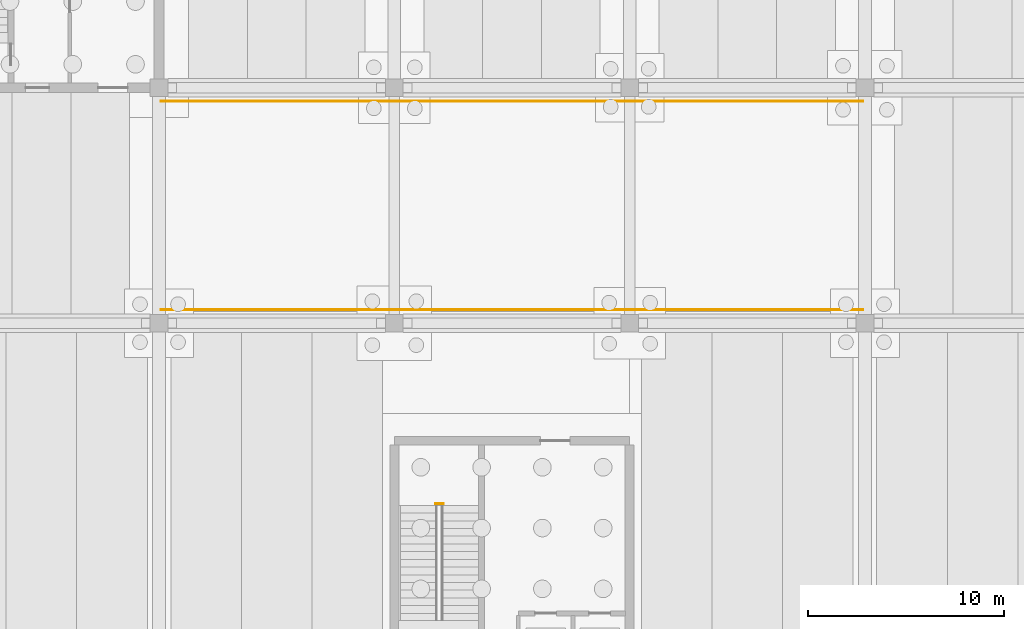
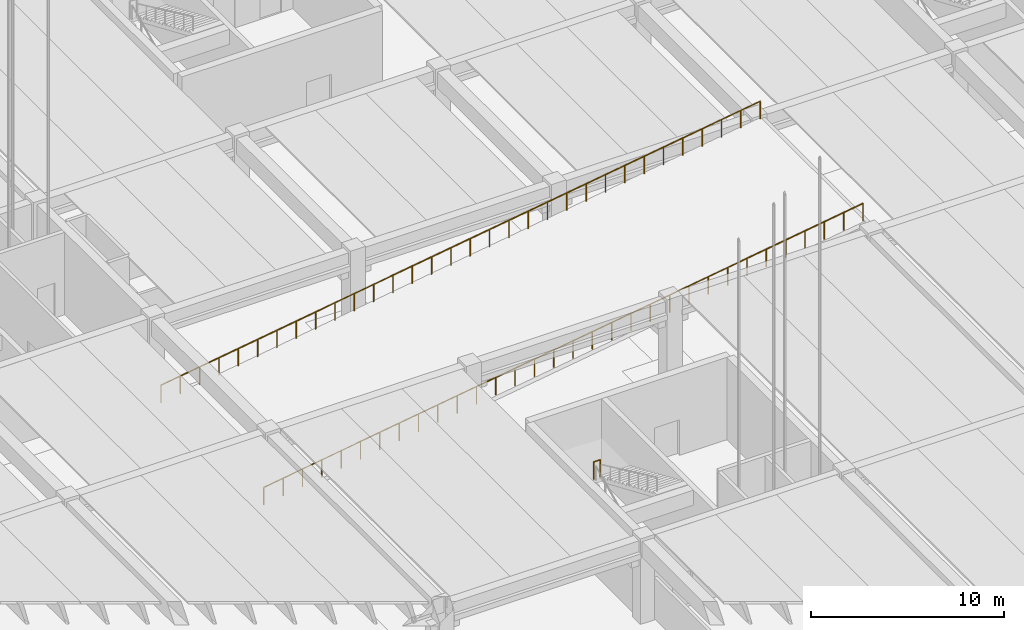
# One storey, part 54 of 59: 3 railings.
"""IFC4 building model written with IfcOpenShell, lengths in metres."""

from ifc_helpers import new_model, si_unit, direction, frame, origin, origin_2d, place, context, subcontext, project, spatial, circle, extrude, material, layer, layer_set, type_object, element, save


model = new_model("IFC4")

# Units and contexts
model_context = context("Model", 3, precision=1e-05, world=origin(), true_north=direction((0.0, 1.0)))
body_context = subcontext(model_context, "Body", "Model", "MODEL_VIEW")
ifc_project = project(units=[si_unit("LENGTHUNIT", "METRE"), si_unit("AREAUNIT", "SQUARE_METRE"), si_unit("VOLUMEUNIT", "CUBIC_METRE"), si_unit("PLANEANGLEUNIT", "RADIAN"), si_unit("MASSUNIT", "GRAM", prefix="KILO")], contexts=[model_context])

# Site, building, storey
site_placement = place(None, origin())
site = spatial("IfcSite", under=ifc_project, at=site_placement, CompositionType="ELEMENT")
building_placement = place(site_placement, origin())
building = spatial("IfcBuilding", under=site, at=building_placement, Name="Girod Span Mobility Hub", CompositionType="ELEMENT")
storey_placement = place(building_placement, origin())
storey = spatial("IfcBuildingStorey", under=building, at=storey_placement, Name="L00", CompositionType="ELEMENT", Elevation=0.0)

# Railings
ifc_material = material(Name="Painted Galvanised Steel", Category="steel")
ifc_layer = layer(ifc_material, 0.06494140625)
ifc_layer_set = layer_set([ifc_layer], Name="Painted Galvanised Steel")
railing_type = type_object("IfcRailingType", Name="RL-GRD-1120", PredefinedType="GUARDRAIL", material=ifc_layer_set)
railing_1_placement = place(storey_placement, frame((60.10009765625, 45.679931640625, 0.0)))
element("IfcRailing", 1, at=railing_1_placement, inside=storey, type_object=railing_type, Name="Vehicular Ramp Guardrail L00-S", PredefinedType="GUARDRAIL", context=body_context, shape_type="SweptSolid", body=[
    extrude(circle(Radius=0.02392578125, at=origin_2d()), frame((0.0, 0.0, 1.09619140625), z_axis=(0.988814741351, 0.0, 0.149148943296), x_axis=(0.0, 1.0, 0.0)), (0.0, 0.0, 1.0), 36.204833984375),
    extrude(circle(Radius=0.02099609375, at=origin_2d()), origin(), (0.0, 0.0, 1.0), 1.072021484375),
    extrude(circle(Radius=0.02099609375, at=origin_2d()), frame((1.15478515625, 0.0, 0.174072265625)), (0.0, 0.0, 1.0), 1.072021484375),
    extrude(circle(Radius=0.02099609375, at=origin_2d()), frame((2.3095703125, 0.0, 0.348388671875)), (0.0, 0.0, 1.0), 1.072021484375),
    extrude(circle(Radius=0.02099609375, at=origin_2d()), frame((3.464599609375, 0.0, 0.5224609375)), (0.0, 0.0, 1.0), 1.072021484375),
    extrude(circle(Radius=0.02099609375, at=origin_2d()), frame((4.619384765625, 0.0, 0.69677734375)), (0.0, 0.0, 1.0), 1.072021484375),
    extrude(circle(Radius=0.02099609375, at=origin_2d()), frame((5.774169921875, 0.0, 0.870849609375)), (0.0, 0.0, 1.0), 1.072021484375),
    extrude(circle(Radius=0.02099609375, at=origin_2d()), frame((6.928955078125, 0.0, 1.045166015625)), (0.0, 0.0, 1.0), 1.072021484375),
    extrude(circle(Radius=0.02099609375, at=origin_2d()), frame((8.083740234375, 0.0, 1.21923828125)), (0.0, 0.0, 1.0), 1.072021484375),
    extrude(circle(Radius=0.02099609375, at=origin_2d()), frame((9.23876953125, 0.0, 1.3935546875)), (0.0, 0.0, 1.0), 1.072021484375),
    extrude(circle(Radius=0.02099609375, at=origin_2d()), frame((10.3935546875, 0.0, 1.567626953125)), (0.0, 0.0, 1.0), 1.072021484375),
    extrude(circle(Radius=0.02099609375, at=origin_2d()), frame((11.54833984375, 0.0, 1.741943359375)), (0.0, 0.0, 1.0), 1.072021484375),
    extrude(circle(Radius=0.02099609375, at=origin_2d()), frame((12.703125, 0.0, 1.916015625)), (0.0, 0.0, 1.0), 1.072021484375),
    extrude(circle(Radius=0.02099609375, at=origin_2d()), frame((13.85791015625, 0.0, 2.09033203125)), (0.0, 0.0, 1.0), 1.072021484375),
    extrude(circle(Radius=0.02099609375, at=origin_2d()), frame((15.012939453125, 0.0, 2.264404296875)), (0.0, 0.0, 1.0), 1.072021484375),
    extrude(circle(Radius=0.02099609375, at=origin_2d()), frame((16.167724609375, 0.0, 2.438720703125)), (0.0, 0.0, 1.0), 1.072021484375),
    extrude(circle(Radius=0.02099609375, at=origin_2d()), frame((17.322509765625, 0.0, 2.61279296875)), (0.0, 0.0, 1.0), 1.072021484375),
    extrude(circle(Radius=0.02099609375, at=origin_2d()), frame((18.477294921875, 0.0, 2.787109375)), (0.0, 0.0, 1.0), 1.072021484375),
    extrude(circle(Radius=0.02099609375, at=origin_2d()), frame((19.632080078125, 0.0, 2.961181640625)), (0.0, 0.0, 1.0), 1.072021484375),
    extrude(circle(Radius=0.02099609375, at=origin_2d()), frame((20.786865234375, 0.0, 3.135498046875)), (0.0, 0.0, 1.0), 1.072021484375),
    extrude(circle(Radius=0.02099609375, at=origin_2d()), frame((21.94189453125, 0.0, 3.3095703125)), (0.0, 0.0, 1.0), 1.072021484375),
    extrude(circle(Radius=0.02099609375, at=origin_2d()), frame((23.0966796875, 0.0, 3.48388671875)), (0.0, 0.0, 1.0), 1.072021484375),
    extrude(circle(Radius=0.02099609375, at=origin_2d()), frame((24.25146484375, 0.0, 3.657958984375)), (0.0, 0.0, 1.0), 1.072021484375),
    extrude(circle(Radius=0.02099609375, at=origin_2d()), frame((25.40625, 0.0, 3.832275390625)), (0.0, 0.0, 1.0), 1.072021484375),
    extrude(circle(Radius=0.02099609375, at=origin_2d()), frame((26.56103515625, 0.0, 4.00634765625)), (0.0, 0.0, 1.0), 1.072021484375),
    extrude(circle(Radius=0.02099609375, at=origin_2d()), frame((27.716064453125, 0.0, 4.1806640625)), (0.0, 0.0, 1.0), 1.072021484375),
    extrude(circle(Radius=0.02099609375, at=origin_2d()), frame((28.870849609375, 0.0, 4.354736328125)), (0.0, 0.0, 1.0), 1.072021484375),
    extrude(circle(Radius=0.02099609375, at=origin_2d()), frame((30.025634765625, 0.0, 4.529052734375)), (0.0, 0.0, 1.0), 1.072021484375),
    extrude(circle(Radius=0.02099609375, at=origin_2d()), frame((31.180419921875, 0.0, 4.703125)), (0.0, 0.0, 1.0), 1.072021484375),
    extrude(circle(Radius=0.02099609375, at=origin_2d()), frame((32.335205078125, 0.0, 4.87744140625)), (0.0, 0.0, 1.0), 1.072021484375),
    extrude(circle(Radius=0.02099609375, at=origin_2d()), frame((33.490234375, 0.0, 5.051513671875)), (0.0, 0.0, 1.0), 1.072021484375),
    extrude(circle(Radius=0.02099609375, at=origin_2d()), frame((34.64501953125, 0.0, 5.225830078125)), (0.0, 0.0, 1.0), 1.072021484375),
    extrude(circle(Radius=0.02099609375, at=origin_2d()), frame((35.7998046875, 0.0, 5.39990234375)), (0.0, 0.0, 1.0), 1.072021484375),
])
railing_2_placement = place(storey_placement, frame((60.10009765625, 56.320068359375, 0.0)))
element("IfcRailing", 2, at=railing_2_placement, inside=storey, type_object=railing_type, Name="Vehicular Ramp Guardrail L00-N", PredefinedType="GUARDRAIL", context=body_context, shape_type="SweptSolid", body=[
    extrude(circle(Radius=0.02392578125, at=origin_2d()), frame((0.0, 0.0, 1.09619140625), z_axis=(0.988814741351, 0.0, 0.149148943296), x_axis=(0.0, 1.0, 0.0)), (0.0, 0.0, 1.0), 36.204833984375),
    extrude(circle(Radius=0.02099609375, at=origin_2d()), origin(), (0.0, 0.0, 1.0), 1.072021484375),
    extrude(circle(Radius=0.02099609375, at=origin_2d()), frame((1.15478515625, 0.0, 0.174072265625)), (0.0, 0.0, 1.0), 1.072021484375),
    extrude(circle(Radius=0.02099609375, at=origin_2d()), frame((2.3095703125, 0.0, 0.348388671875)), (0.0, 0.0, 1.0), 1.072021484375),
    extrude(circle(Radius=0.02099609375, at=origin_2d()), frame((3.464599609375, 0.0, 0.5224609375)), (0.0, 0.0, 1.0), 1.072021484375),
    extrude(circle(Radius=0.02099609375, at=origin_2d()), frame((4.619384765625, 0.0, 0.69677734375)), (0.0, 0.0, 1.0), 1.072021484375),
    extrude(circle(Radius=0.02099609375, at=origin_2d()), frame((5.774169921875, 0.0, 0.870849609375)), (0.0, 0.0, 1.0), 1.072021484375),
    extrude(circle(Radius=0.02099609375, at=origin_2d()), frame((6.928955078125, 0.0, 1.045166015625)), (0.0, 0.0, 1.0), 1.072021484375),
    extrude(circle(Radius=0.02099609375, at=origin_2d()), frame((8.083740234375, 0.0, 1.21923828125)), (0.0, 0.0, 1.0), 1.072021484375),
    extrude(circle(Radius=0.02099609375, at=origin_2d()), frame((9.23876953125, 0.0, 1.3935546875)), (0.0, 0.0, 1.0), 1.072021484375),
    extrude(circle(Radius=0.02099609375, at=origin_2d()), frame((10.3935546875, 0.0, 1.567626953125)), (0.0, 0.0, 1.0), 1.072021484375),
    extrude(circle(Radius=0.02099609375, at=origin_2d()), frame((11.54833984375, 0.0, 1.741943359375)), (0.0, 0.0, 1.0), 1.072021484375),
    extrude(circle(Radius=0.02099609375, at=origin_2d()), frame((12.703125, 0.0, 1.916015625)), (0.0, 0.0, 1.0), 1.072021484375),
    extrude(circle(Radius=0.02099609375, at=origin_2d()), frame((13.85791015625, 0.0, 2.09033203125)), (0.0, 0.0, 1.0), 1.072021484375),
    extrude(circle(Radius=0.02099609375, at=origin_2d()), frame((15.012939453125, 0.0, 2.264404296875)), (0.0, 0.0, 1.0), 1.072021484375),
    extrude(circle(Radius=0.02099609375, at=origin_2d()), frame((16.167724609375, 0.0, 2.438720703125)), (0.0, 0.0, 1.0), 1.072021484375),
    extrude(circle(Radius=0.02099609375, at=origin_2d()), frame((17.322509765625, 0.0, 2.61279296875)), (0.0, 0.0, 1.0), 1.072021484375),
    extrude(circle(Radius=0.02099609375, at=origin_2d()), frame((18.477294921875, 0.0, 2.787109375)), (0.0, 0.0, 1.0), 1.072021484375),
    extrude(circle(Radius=0.02099609375, at=origin_2d()), frame((19.632080078125, 0.0, 2.961181640625)), (0.0, 0.0, 1.0), 1.072021484375),
    extrude(circle(Radius=0.02099609375, at=origin_2d()), frame((20.786865234375, 0.0, 3.135498046875)), (0.0, 0.0, 1.0), 1.072021484375),
    extrude(circle(Radius=0.02099609375, at=origin_2d()), frame((21.94189453125, 0.0, 3.3095703125)), (0.0, 0.0, 1.0), 1.072021484375),
    extrude(circle(Radius=0.02099609375, at=origin_2d()), frame((23.0966796875, 0.0, 3.48388671875)), (0.0, 0.0, 1.0), 1.072021484375),
    extrude(circle(Radius=0.02099609375, at=origin_2d()), frame((24.25146484375, 0.0, 3.657958984375)), (0.0, 0.0, 1.0), 1.072021484375),
    extrude(circle(Radius=0.02099609375, at=origin_2d()), frame((25.40625, 0.0, 3.832275390625)), (0.0, 0.0, 1.0), 1.072021484375),
    extrude(circle(Radius=0.02099609375, at=origin_2d()), frame((26.56103515625, 0.0, 4.00634765625)), (0.0, 0.0, 1.0), 1.072021484375),
    extrude(circle(Radius=0.02099609375, at=origin_2d()), frame((27.716064453125, 0.0, 4.1806640625)), (0.0, 0.0, 1.0), 1.072021484375),
    extrude(circle(Radius=0.02099609375, at=origin_2d()), frame((28.870849609375, 0.0, 4.354736328125)), (0.0, 0.0, 1.0), 1.072021484375),
    extrude(circle(Radius=0.02099609375, at=origin_2d()), frame((30.025634765625, 0.0, 4.529052734375)), (0.0, 0.0, 1.0), 1.072021484375),
    extrude(circle(Radius=0.02099609375, at=origin_2d()), frame((31.180419921875, 0.0, 4.703125)), (0.0, 0.0, 1.0), 1.072021484375),
    extrude(circle(Radius=0.02099609375, at=origin_2d()), frame((32.335205078125, 0.0, 4.87744140625)), (0.0, 0.0, 1.0), 1.072021484375),
    extrude(circle(Radius=0.02099609375, at=origin_2d()), frame((33.490234375, 0.0, 5.051513671875)), (0.0, 0.0, 1.0), 1.072021484375),
    extrude(circle(Radius=0.02099609375, at=origin_2d()), frame((34.64501953125, 0.0, 5.225830078125)), (0.0, 0.0, 1.0), 1.072021484375),
    extrude(circle(Radius=0.02099609375, at=origin_2d()), frame((35.7998046875, 0.0, 5.39990234375)), (0.0, 0.0, 1.0), 1.072021484375),
])
railing_3_placement = place(storey_placement, frame((74.10009765625, 35.7900390625, 2.699951171875)))
element("IfcRailing", 3, at=railing_3_placement, inside=storey, type_object=railing_type, Name="Stair ST-3 Half-Landing Well Guard L00", PredefinedType="GUARDRAIL", context=body_context, shape_type="SweptSolid", body=[
    extrude(circle(Radius=0.02392578125, at=origin_2d()), frame((0.0, 0.0, 1.09619140625), z_axis=(1.0, 0.0, 0.0), x_axis=(0.0, 1.0, 0.0)), (0.0, 0.0, 1.0), 0.39990234375),
    extrude(circle(Radius=0.02099609375, at=origin_2d()), origin(), (0.0, 0.0, 1.0), 1.072021484375),
    extrude(circle(Radius=0.02099609375, at=origin_2d()), frame((0.39990234375, 0.0, 0.0)), (0.0, 0.0, 1.0), 1.072021484375),
])

save(model, "model.ifc")
